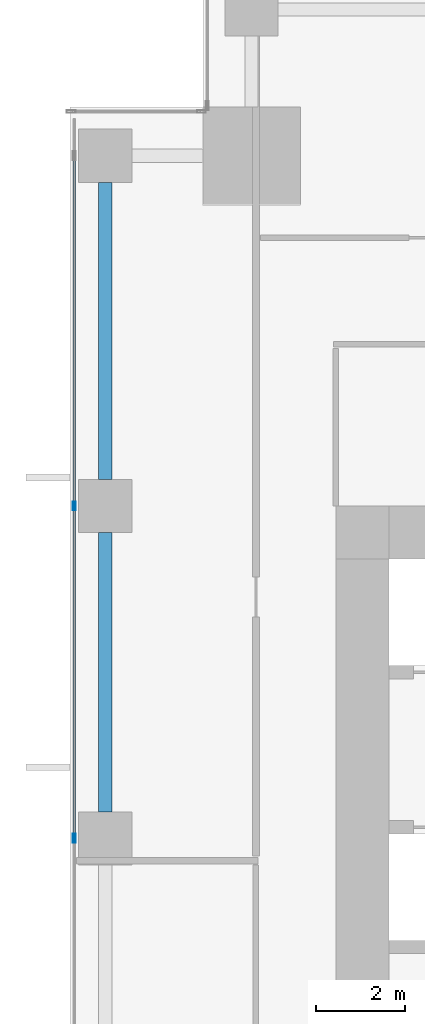
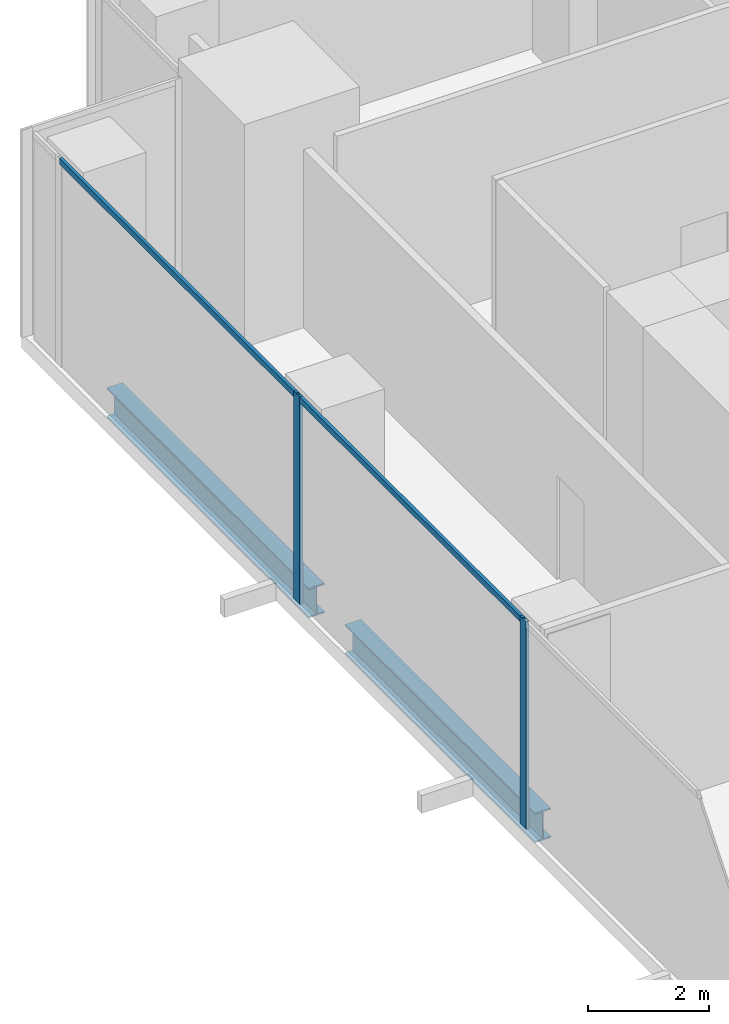
# One storey, part 12 of 32: 4 members, 2 beams, 1 element without a shape of its own.
"""IFC4 building model written with IfcOpenShell, lengths in metres."""

from ifc_helpers import new_model, si_unit, direction, frame, origin, origin_2d, place, context, subcontext, project, spatial, hollow_rectangle, i_section, extrude, source, transform, mapped, material, material_profile, profile_set, type_object, element, aggregate, save


model = new_model("IFC4")

# Units and contexts
model_context = context("Model", 3, precision=1e-05, world=origin(), true_north=direction((0.0, 1.0)))
body_context = subcontext(model_context, "Body", "Model", "MODEL_VIEW")
ifc_project = project(units=[si_unit("LENGTHUNIT", "METRE"), si_unit("AREAUNIT", "SQUARE_METRE"), si_unit("VOLUMEUNIT", "CUBIC_METRE"), si_unit("PLANEANGLEUNIT", "RADIAN"), si_unit("MASSUNIT", "GRAM", prefix="KILO")], contexts=[model_context])

# Site, building, storey
site_placement = place(None, origin())
site = spatial("IfcSite", under=ifc_project, at=site_placement, CompositionType="ELEMENT")
building_placement = place(site_placement, origin())
building = spatial("IfcBuilding", under=site, at=building_placement, Name="Khomas Fold Tower", CompositionType="ELEMENT")
storey_placement = place(building_placement, frame((0.0, 0.0, 37.5)))
storey = spatial("IfcBuildingStorey", under=building, at=storey_placement, Name="L07", CompositionType="ELEMENT", Elevation=37.5)

# Beams
ifc_material_1 = material(Name="Steel S355", Category="steel")
ifc_material_profile_1 = material_profile(ifc_material_1, i_section(OverallWidth=0.300048828125, OverallDepth=0.60009765625, WebThickness=0.015380859375, FlangeThickness=0.030029296875, at=origin_2d()), Name="HE 600 B")
ifc_profile_set_1 = profile_set([ifc_material_profile_1], Name="Steel S355")
beam_type = type_object("IfcBeamType", Name="HE 600 B spandrel SB1", PredefinedType="SPANDREL", material=ifc_profile_set_1)
shared_shape_1 = source(origin(), body_context, "Body", "SweptSolid", [
    extrude(i_section(OverallWidth=0.300048828125, OverallDepth=0.60009765625, WebThickness=0.015380859375, FlangeThickness=0.030029296875, at=origin_2d()), origin(), (0.0, 0.0, 1.0), 6.699951171875),
])
beam_1_placement = place(storey_placement, frame((0.800048828125, 42.60009765625, -0.60009765625), z_axis=(0.0, 1.0, 0.0), x_axis=(-1.0, 0.0, 0.0)))
element("IfcBeam", 1, at=beam_1_placement, inside=storey, type_object=beam_type, Name="SB1", PredefinedType="SPANDREL", context=body_context, shape_type="MappedRepresentation", body=[
    mapped(shared_shape_1, transform((0.0, 0.0, 0.0))),
])
shared_shape_2 = source(origin(), body_context, "Body", "SweptSolid", [
    extrude(i_section(OverallWidth=0.300048828125, OverallDepth=0.60009765625, WebThickness=0.015380859375, FlangeThickness=0.030029296875, at=origin_2d()), origin(), (0.0, 0.0, 1.0), 6.2998046875),
])
beam_2_placement = place(storey_placement, frame((0.800048828125, 35.10009765625, -0.60009765625), z_axis=(0.0, 1.0, 0.0), x_axis=(-1.0, 0.0, 0.0)))
element("IfcBeam", 2, at=beam_2_placement, inside=storey, type_object=beam_type, Name="SB1", PredefinedType="SPANDREL", context=body_context, shape_type="MappedRepresentation", body=[
    mapped(shared_shape_2, transform((0.0, 0.0, 0.0))),
])

# Curtain wall, members
ifc_material_2 = material(Name="Aluminium framed double glazing", Category="aluminium")
curtain_wall_type = type_object("IfcCurtainWallType", Name="SK-Unitised clear-glass wall, growing floors CW1", PredefinedType="NOTDEFINED", material=ifc_material_2)
curtain_wall_placement = place(storey_placement, origin())
curtain_wall = element("IfcCurtainWall", 3, at=curtain_wall_placement, inside=storey, type_object=curtain_wall_type, Name="CW1 run L07 09-0", PredefinedType="NOTDEFINED")
ifc_material_3 = material(Name="Aluminium", Category="aluminium")
ifc_material_profile_2 = material_profile(ifc_material_3, hollow_rectangle(XDim=0.06005859375, YDim=0.1201171875, WallThickness=0.00390625, at=origin_2d()), Name="SK-Unitised clear-glass wall, growing floors transom CW1-T")
ifc_profile_set_2 = profile_set([ifc_material_profile_2], Name="Aluminium")
member_type_1 = type_object("IfcMemberType", Name="SK-Unitised clear-glass wall, growing floors transom CW1-T", PredefinedType="USERDEFINED", material=ifc_profile_set_2)
shared_shape_3 = source(origin(), body_context, "Body", "SweptSolid", [
    extrude(hollow_rectangle(XDim=0.06005859375, YDim=0.1201171875, WallThickness=0.00390625, at=origin_2d()), origin(), (0.0, 0.0, 1.0), 7.840087890625),
])
member_1_placement = place(storey_placement, frame((0.10009765625, 49.8701171875, 4.139892578125), z_axis=(0.0, -1.0, 0.0), x_axis=(1.0, 0.0, 0.0)))
member_1 = element("IfcMember", 4, at=member_1_placement, type_object=member_type_1, Name="CW1 transom 2", ObjectType="TRANSOM", PredefinedType="USERDEFINED", context=body_context, shape_type="MappedRepresentation", body=[
    mapped(shared_shape_3, transform((0.0, 0.0, 0.0))),
])
shared_shape_4 = source(origin(), body_context, "Body", "SweptSolid", [
    extrude(hollow_rectangle(XDim=0.06005859375, YDim=0.1201171875, WallThickness=0.00390625, at=origin_2d()), origin(), (0.0, 0.0, 1.0), 7.43994140625),
])
member_2_placement = place(storey_placement, frame((0.10009765625, 41.969970703125, 4.139892578125), z_axis=(0.0, -1.0, 0.0), x_axis=(1.0, 0.0, 0.0)))
member_2 = element("IfcMember", 5, at=member_2_placement, type_object=member_type_1, Name="CW1 transom 3", ObjectType="TRANSOM", PredefinedType="USERDEFINED", context=body_context, shape_type="MappedRepresentation", body=[
    mapped(shared_shape_4, transform((0.0, 0.0, 0.0))),
])
ifc_material_4 = material(Name="Aluminium", Category="aluminium")
ifc_material_profile_3 = material_profile(ifc_material_4, hollow_rectangle(XDim=0.06005859375, YDim=0.199951171875, WallThickness=0.00390625, at=origin_2d()), Name="SK-Unitised clear-glass wall, growing floors mullion CW1-M")
ifc_profile_set_3 = profile_set([ifc_material_profile_3], Name="Aluminium")
member_type_2 = type_object("IfcMemberType", Name="SK-Unitised clear-glass wall, growing floors mullion CW1-M", PredefinedType="MULLION", material=ifc_profile_set_3)
shared_shape_5 = source(origin(), body_context, "Body", "SweptSolid", [
    extrude(hollow_rectangle(XDim=0.06005859375, YDim=0.199951171875, WallThickness=0.00390625, at=origin_2d()), origin(), (0.0, 0.0, 1.0), 4.199951171875),
])
member_3_placement = place(storey_placement, frame((0.10009765625, 42.0, 0.0), z_axis=(0.0, 0.0, 1.0), x_axis=(1.0, 0.0, 0.0)))
member_3 = element("IfcMember", 6, at=member_3_placement, type_object=member_type_2, Name="CW1 mullion 3", PredefinedType="MULLION", context=body_context, shape_type="MappedRepresentation", body=[
    mapped(shared_shape_5, transform((0.0, 0.0, 0.0))),
])
member_4_placement = place(storey_placement, frame((0.10009765625, 34.5, 0.0), z_axis=(0.0, 0.0, 1.0), x_axis=(1.0, 0.0, 0.0)))
member_4 = element("IfcMember", 7, at=member_4_placement, type_object=member_type_2, Name="CW1 mullion 4", PredefinedType="MULLION", context=body_context, shape_type="MappedRepresentation", body=[
    mapped(shared_shape_5, transform((0.0, 0.0, 0.0))),
])
aggregate(curtain_wall, [member_3, member_4, member_1, member_2])

save(model, "model.ifc")
